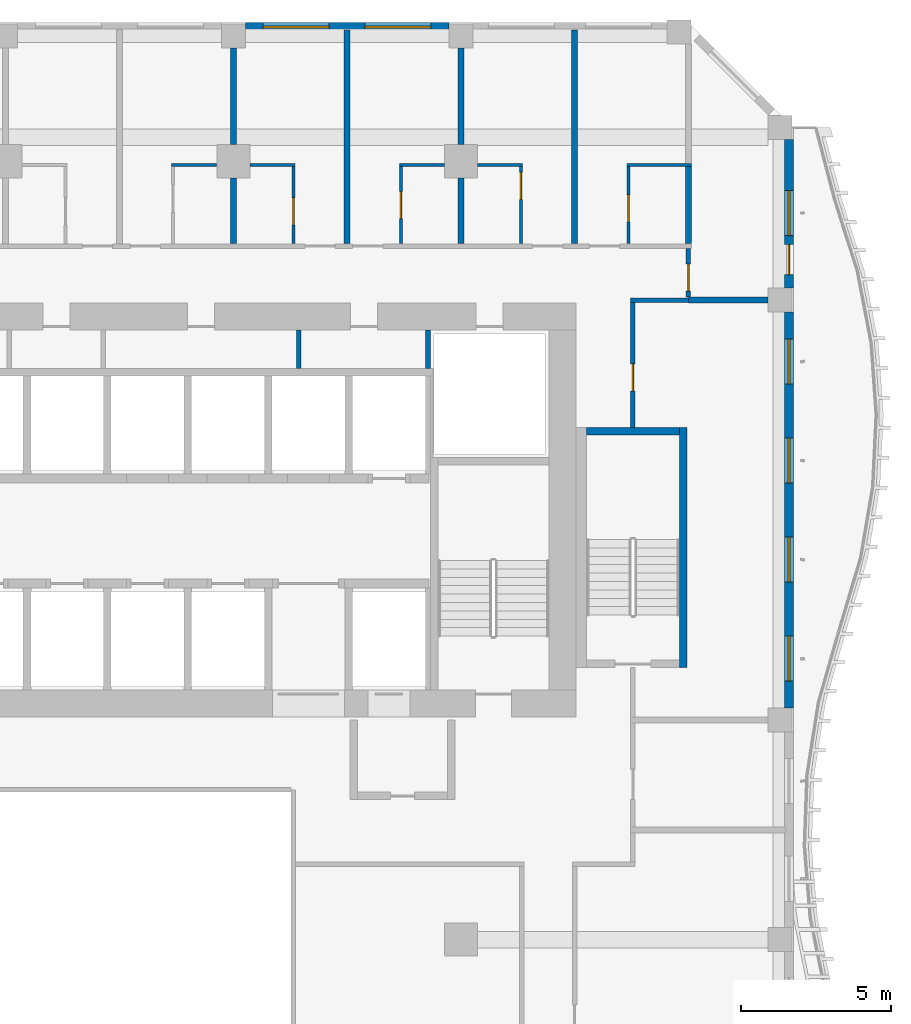
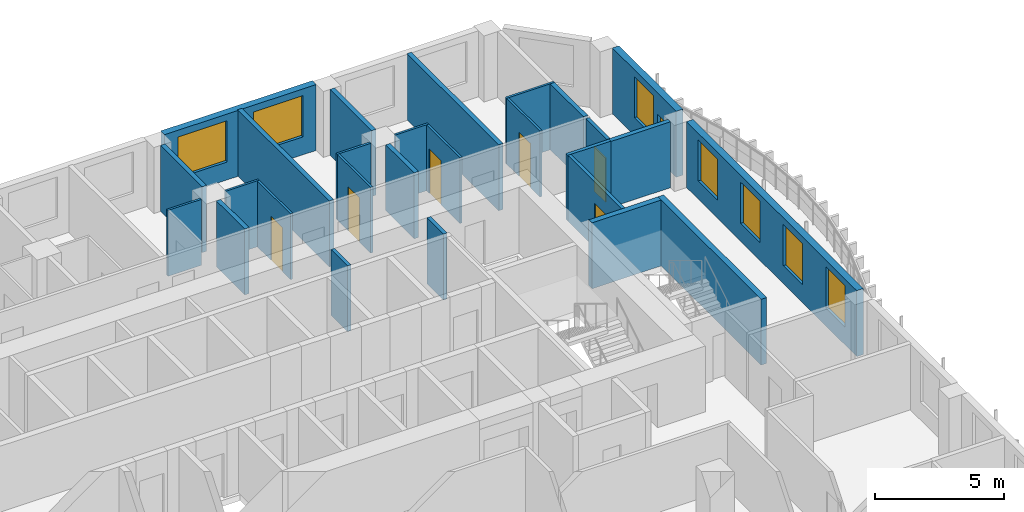
# One storey, part 10 of 22: 27 walls, 7 doors, 7 windows, 14 openings.
"""IFC4 building model written with IfcOpenShell, lengths in metres."""

from ifc_helpers import new_model, si_unit, direction, frame, frame_2d, origin, place, context, subcontext, project, spatial, rectangle, extrude, source, transform, mapped, material, layer, layer_set, type_object, element, fill, save


model = new_model("IFC4")

# Units and contexts
model_context = context("Model", 3, precision=1e-05, world=origin(), true_north=direction((0.0, 1.0)))
body_context = subcontext(model_context, "Body", "Model", "MODEL_VIEW")
ifc_project = project(units=[si_unit("LENGTHUNIT", "METRE"), si_unit("AREAUNIT", "SQUARE_METRE"), si_unit("VOLUMEUNIT", "CUBIC_METRE"), si_unit("PLANEANGLEUNIT", "RADIAN"), si_unit("MASSUNIT", "GRAM", prefix="KILO")], contexts=[model_context])

# Site, building, storey
site_placement = place(None, origin())
site = spatial("IfcSite", under=ifc_project, at=site_placement, CompositionType="ELEMENT")
building_placement = place(site_placement, origin())
building = spatial("IfcBuilding", under=site, at=building_placement, Name="Kilnfold Tower and Market Hall", CompositionType="ELEMENT")
storey_placement = place(building_placement, frame((0.0, 0.0, 143.89990234375)))
storey = spatial("IfcBuildingStorey", under=building, at=storey_placement, Name="L32", CompositionType="ELEMENT", Elevation=143.89990234375)

# Wall, opening, door
ifc_material_1 = material(Name="Gypsum board on steel studs", Category="steel")
ifc_layer_1 = layer(ifc_material_1, 0.14990234375)
ifc_layer_set_1 = layer_set([ifc_layer_1], Name="Gypsum board on steel studs")
wall_type_1 = type_object("IfcWallType", Name="WALL CORRIDOR 150", PredefinedType="PARTITIONING", material=ifc_layer_set_1)
wall_1_placement = place(storey_placement, frame((21.75, 22.10009765625, 0.0), z_axis=(0.0, 0.0, 1.0), x_axis=(0.0, 1.0, 0.0)))
wall_1 = element("IfcWall", 1, at=wall_1_placement, inside=storey, type_object=wall_type_1, Name="Partition LY21.26", PredefinedType="PARTITIONING", context=body_context, shape_type="SweptSolid", body=[
    extrude(rectangle(XDim=1.625, YDim=0.14990234375, at=frame_2d((0.8125, 0.0))), origin(), (0.0, 0.0, 1.0), 3.1201171875),
])
opening_1_placement = place(wall_1_placement, frame((0.199951171875, 0.0, 0.0)))
opening_1 = element("IfcOpeningElement", 2, at=opening_1_placement, cuts=wall_1, Name="Opening D2", PredefinedType="OPENING", context=body_context, shape_type="SweptSolid", body=[
    extrude(rectangle(XDim=0.89990234375, YDim=2.10009765625, at=frame_2d((0.449951171875, 1.050048828125))), frame((0.0, 0.0849609375, 0.0), z_axis=(0.0, -1.0, 0.0), x_axis=(1.0, 0.0, 0.0)), (0.0, 0.0, 1.0), 0.169921875),
])
ifc_material_2 = material(Name="Timber veneer door leaf in steel frame", Category="steel")
door_type_1 = type_object("IfcDoorType", Name="DOOR ROOM 900 X2100", OperationType="NOTDEFINED", PredefinedType="DOOR", material=ifc_material_2)
door_1_placement = place(opening_1_placement, origin())
door_1 = element("IfcDoor", 3, at=door_1_placement, inside=storey, type_object=door_type_1, Name="Door D2", OperationType="SINGLE_SWING_LEFT", OverallHeight=2.10009765625, OverallWidth=0.89990234375, PredefinedType="DOOR", context=body_context, shape_type="SweptSolid", body=[
    extrude(rectangle(XDim=0.89990234375, YDim=2.10009765625, at=frame_2d((0.449951171875, 1.050048828125))), frame((0.0, 0.02490234375, 0.0), z_axis=(0.0, -1.0, 0.0), x_axis=(1.0, 0.0, 0.0)), (0.0, 0.0, 1.0), 0.050048828125),
])
fill(opening_1, door_1)

# Wall
wall_2_placement = place(storey_placement, frame((19.824951171875, 22.0, 0.0), z_axis=(0.0, 0.0, 1.0), x_axis=(1.0, 0.0, 0.0)))
element("IfcWall", 4, at=wall_2_placement, inside=storey, type_object=wall_type_1, Name="Partition LY21.28", PredefinedType="PARTITIONING", context=body_context, shape_type="SweptSolid", body=[
    extrude(rectangle(XDim=1.925048828125, YDim=0.14990234375, at=frame_2d((0.96240234375, 0.0))), origin(), (0.0, 0.0, 1.0), 3.1201171875),
])

# Wall, opening, door
wall_3_placement = place(storey_placement, frame((19.89990234375, 17.75, 0.0), z_axis=(0.0, 0.0, 1.0), x_axis=(0.0, 1.0, 0.0)))
wall_3 = element("IfcWall", 5, at=wall_3_placement, inside=storey, type_object=wall_type_1, Name="Partition LY21.29", PredefinedType="PARTITIONING", context=body_context, shape_type="SweptSolid", body=[
    extrude(rectangle(XDim=4.175048828125, YDim=0.14990234375, at=frame_2d((2.08740234375, 0.0))), origin(), (0.0, 0.0, 1.0), 3.1201171875),
])
opening_2_placement = place(wall_3_placement, frame((1.22705078125, 0.0, 0.0)))
opening_2 = element("IfcOpeningElement", 6, at=opening_2_placement, cuts=wall_3, Name="Opening D2", PredefinedType="OPENING", context=body_context, shape_type="SweptSolid", body=[
    extrude(rectangle(XDim=0.89990234375, YDim=2.10009765625, at=frame_2d((0.449951171875, 1.050048828125))), frame((0.0, 0.0849609375, 0.0), z_axis=(0.0, -1.0, 0.0), x_axis=(1.0, 0.0, 0.0)), (0.0, 0.0, 1.0), 0.169921875),
])
door_2_placement = place(opening_2_placement, origin())
door_2 = element("IfcDoor", 7, at=door_2_placement, inside=storey, type_object=door_type_1, Name="Door D2", OperationType="SINGLE_SWING_LEFT", OverallHeight=2.10009765625, OverallWidth=0.89990234375, PredefinedType="DOOR", context=body_context, shape_type="SweptSolid", body=[
    extrude(rectangle(XDim=0.89990234375, YDim=2.10009765625, at=frame_2d((0.449951171875, 1.050048828125))), frame((0.0, 0.02490234375, 0.0), z_axis=(0.0, -1.0, 0.0), x_axis=(1.0, 0.0, 0.0)), (0.0, 0.0, 1.0), 0.050048828125),
])
fill(opening_2, door_2)

# Walls
ifc_material_3 = material(Name="Gypsum board on steel studs", Category="steel")
ifc_layer_2 = layer(ifc_material_3, 0.10009765625)
ifc_layer_set_2 = layer_set([ifc_layer_2], Name="Gypsum board on steel studs")
wall_type_2 = type_object("IfcWallType", Name="WALL PARTITION 100", PredefinedType="PARTITIONING", material=ifc_layer_set_2)
for number, where, z_axis, x_axis, name in (
    (8, (4.532958984375, 26.501953125, 0.0), (0.0, 0.0, 1.0), (1.0, 0.0, 0.0), "Partition LY21.104"),
    (9, (7.133056640625, 26.501953125, 0.0), (0.0, 0.0, 1.0), (1.0, 0.0, 0.0), "Partition LY21.108"),
):
    element("IfcWall", number, at=place(storey_placement, frame(where, z_axis=z_axis, x_axis=x_axis)), inside=storey, type_object=wall_type_2, Name=name, PredefinedType="PARTITIONING", context=body_context, shape_type="SweptSolid", body=[
        extrude(rectangle(XDim=1.5, YDim=0.10009765625, at=frame_2d((0.75, 0.0))), origin(), (0.0, 0.0, 1.0), 3.1201171875),
    ])

# Wall, opening, door
wall_4_placement = place(storey_placement, frame((8.5830078125, 26.451904296875, 0.0), z_axis=(0.0, 0.0, 1.0), x_axis=(0.0, -1.0, 0.0)))
wall_4 = element("IfcWall", 10, at=wall_4_placement, inside=storey, type_object=wall_type_2, Name="Partition LY21.109", PredefinedType="PARTITIONING", context=body_context, shape_type="SweptSolid", body=[
    extrude(rectangle(XDim=2.574951171875, YDim=0.10009765625, at=frame_2d((1.28759765625, 0.0))), origin(), (0.0, 0.0, 1.0), 3.1201171875),
])
opening_3_placement = place(wall_4_placement, frame((1.050048828125, 0.0, 0.0)))
opening_3 = element("IfcOpeningElement", 11, at=opening_3_placement, cuts=wall_4, Name="Opening D3", PredefinedType="OPENING", context=body_context, shape_type="SweptSolid", body=[
    extrude(rectangle(XDim=0.89990234375, YDim=2.10009765625, at=frame_2d((0.449951171875, 1.050048828125))), frame((0.0, 0.06005859375, 0.0), z_axis=(0.0, -1.0, 0.0), x_axis=(1.0, 0.0, 0.0)), (0.0, 0.0, 1.0), 0.1201171875),
])
ifc_material_4 = material(Name="Timber veneer door leaf in steel frame", Category="steel")
door_type_2 = type_object("IfcDoorType", Name="DOOR WC 900 X2100", OperationType="NOTDEFINED", PredefinedType="DOOR", material=ifc_material_4)
door_3_placement = place(opening_3_placement, origin())
door_3 = element("IfcDoor", 12, at=door_3_placement, inside=storey, type_object=door_type_2, Name="Door D3", OperationType="SINGLE_SWING_LEFT", OverallHeight=2.10009765625, OverallWidth=0.89990234375, PredefinedType="DOOR", context=body_context, shape_type="SweptSolid", body=[
    extrude(rectangle(XDim=0.89990234375, YDim=2.10009765625, at=frame_2d((0.449951171875, 1.050048828125))), frame((0.0, 0.02490234375, 0.0), z_axis=(0.0, -1.0, 0.0), x_axis=(1.0, 0.0, 0.0)), (0.0, 0.0, 1.0), 0.050048828125),
])
fill(opening_3, door_3)

# Wall
wall_5_placement = place(storey_placement, frame((12.116943359375, 26.501953125, 0.0), z_axis=(0.0, 0.0, 1.0), x_axis=(1.0, 0.0, 0.0)))
element("IfcWall", 13, at=wall_5_placement, inside=storey, type_object=wall_type_2, Name="Partition LY21.111", PredefinedType="PARTITIONING", context=body_context, shape_type="SweptSolid", body=[
    extrude(rectangle(XDim=1.5, YDim=0.10009765625, at=frame_2d((0.75, 0.0))), origin(), (0.0, 0.0, 1.0), 3.1201171875),
])

# Wall, opening, door
wall_6_placement = place(storey_placement, frame((12.1669921875, 23.876953125, 0.0), z_axis=(0.0, 0.0, 1.0), x_axis=(0.0, 1.0, 0.0)))
wall_6 = element("IfcWall", 14, at=wall_6_placement, inside=storey, type_object=wall_type_2, Name="Partition LY21.112", PredefinedType="PARTITIONING", context=body_context, shape_type="SweptSolid", body=[
    extrude(rectangle(XDim=2.574951171875, YDim=0.10009765625, at=frame_2d((1.28759765625, 0.0))), origin(), (0.0, 0.0, 1.0), 3.1201171875),
])
opening_4_placement = place(wall_6_placement, frame((0.837890625, 0.0, 0.0)))
opening_4 = element("IfcOpeningElement", 15, at=opening_4_placement, cuts=wall_6, Name="Opening D3", PredefinedType="OPENING", context=body_context, shape_type="SweptSolid", body=[
    extrude(rectangle(XDim=0.89990234375, YDim=2.10009765625, at=frame_2d((0.449951171875, 1.050048828125))), frame((0.0, 0.06005859375, 0.0), z_axis=(0.0, -1.0, 0.0), x_axis=(1.0, 0.0, 0.0)), (0.0, 0.0, 1.0), 0.1201171875),
])
door_4_placement = place(opening_4_placement, origin())
door_4 = element("IfcDoor", 16, at=door_4_placement, inside=storey, type_object=door_type_2, Name="Door D3", OperationType="SINGLE_SWING_LEFT", OverallHeight=2.10009765625, OverallWidth=0.89990234375, PredefinedType="DOOR", context=body_context, shape_type="SweptSolid", body=[
    extrude(rectangle(XDim=0.89990234375, YDim=2.10009765625, at=frame_2d((0.449951171875, 1.050048828125))), frame((0.0, 0.02490234375, 0.0), z_axis=(0.0, -1.0, 0.0), x_axis=(1.0, 0.0, 0.0)), (0.0, 0.0, 1.0), 0.050048828125),
])
fill(opening_4, door_4)

# Wall
wall_7_placement = place(storey_placement, frame((14.717041015625, 26.501953125, 0.0), z_axis=(0.0, 0.0, 1.0), x_axis=(1.0, 0.0, 0.0)))
element("IfcWall", 17, at=wall_7_placement, inside=storey, type_object=wall_type_2, Name="Partition LY21.115", PredefinedType="PARTITIONING", context=body_context, shape_type="SweptSolid", body=[
    extrude(rectangle(XDim=1.5, YDim=0.10009765625, at=frame_2d((0.75, 0.0))), origin(), (0.0, 0.0, 1.0), 3.1201171875),
])

# Wall, opening, door
wall_8_placement = place(storey_placement, frame((16.1669921875, 26.451904296875, 0.0), z_axis=(0.0, 0.0, 1.0), x_axis=(0.0, -1.0, 0.0)))
wall_8 = element("IfcWall", 18, at=wall_8_placement, inside=storey, type_object=wall_type_2, Name="Partition LY21.116", PredefinedType="PARTITIONING", context=body_context, shape_type="SweptSolid", body=[
    extrude(rectangle(XDim=2.574951171875, YDim=0.10009765625, at=frame_2d((1.28759765625, 0.0))), origin(), (0.0, 0.0, 1.0), 3.1201171875),
])
opening_5_placement = place(wall_8_placement, frame((0.199951171875, 0.0, 0.0)))
opening_5 = element("IfcOpeningElement", 19, at=opening_5_placement, cuts=wall_8, Name="Opening D3", PredefinedType="OPENING", context=body_context, shape_type="SweptSolid", body=[
    extrude(rectangle(XDim=0.89990234375, YDim=2.10009765625, at=frame_2d((0.449951171875, 1.050048828125))), frame((0.0, 0.06005859375, 0.0), z_axis=(0.0, -1.0, 0.0), x_axis=(1.0, 0.0, 0.0)), (0.0, 0.0, 1.0), 0.1201171875),
])
door_5_placement = place(opening_5_placement, origin())
door_5 = element("IfcDoor", 20, at=door_5_placement, inside=storey, type_object=door_type_2, Name="Door D3", OperationType="SINGLE_SWING_LEFT", OverallHeight=2.10009765625, OverallWidth=0.89990234375, PredefinedType="DOOR", context=body_context, shape_type="SweptSolid", body=[
    extrude(rectangle(XDim=0.89990234375, YDim=2.10009765625, at=frame_2d((0.449951171875, 1.050048828125))), frame((0.0, 0.02490234375, 0.0), z_axis=(0.0, -1.0, 0.0), x_axis=(1.0, 0.0, 0.0)), (0.0, 0.0, 1.0), 0.050048828125),
])
fill(opening_5, door_5)

# Wall
wall_9_placement = place(storey_placement, frame((19.699951171875, 26.501953125, 0.0), z_axis=(0.0, 0.0, 1.0), x_axis=(1.0, 0.0, 0.0)))
element("IfcWall", 21, at=wall_9_placement, inside=storey, type_object=wall_type_2, Name="Partition LY21.118", PredefinedType="PARTITIONING", context=body_context, shape_type="SweptSolid", body=[
    extrude(rectangle(XDim=2.150146484375, YDim=0.10009765625, at=frame_2d((1.0751953125, 0.0))), origin(), (0.0, 0.0, 1.0), 3.1201171875),
])

# Wall, opening, door
wall_10_placement = place(storey_placement, frame((19.75, 23.876953125, 0.0), z_axis=(0.0, 0.0, 1.0), x_axis=(0.0, 1.0, 0.0)))
wall_10 = element("IfcWall", 22, at=wall_10_placement, inside=storey, type_object=wall_type_2, Name="Partition LY21.119", PredefinedType="PARTITIONING", context=body_context, shape_type="SweptSolid", body=[
    extrude(rectangle(XDim=2.574951171875, YDim=0.10009765625, at=frame_2d((1.28759765625, 0.0))), origin(), (0.0, 0.0, 1.0), 3.1201171875),
])
opening_6_placement = place(wall_10_placement, frame((0.73095703125, 0.0, 0.0)))
opening_6 = element("IfcOpeningElement", 23, at=opening_6_placement, cuts=wall_10, Name="Opening D3", PredefinedType="OPENING", context=body_context, shape_type="SweptSolid", body=[
    extrude(rectangle(XDim=0.89990234375, YDim=2.10009765625, at=frame_2d((0.449951171875, 1.050048828125))), frame((0.0, 0.06005859375, 0.0), z_axis=(0.0, -1.0, 0.0), x_axis=(1.0, 0.0, 0.0)), (0.0, 0.0, 1.0), 0.1201171875),
])
door_6_placement = place(opening_6_placement, origin())
door_6 = element("IfcDoor", 24, at=door_6_placement, inside=storey, type_object=door_type_2, Name="Door D3", OperationType="SINGLE_SWING_RIGHT", OverallHeight=2.10009765625, OverallWidth=0.89990234375, PredefinedType="DOOR", context=body_context, shape_type="SweptSolid", body=[
    extrude(rectangle(XDim=0.89990234375, YDim=2.10009765625, at=frame_2d((0.449951171875, 1.050048828125))), frame((0.0, 0.02490234375, 0.0), z_axis=(0.0, -1.0, 0.0), x_axis=(1.0, 0.0, 0.0)), (0.0, 0.0, 1.0), 0.050048828125),
])
fill(opening_6, door_6)

# Walls
ifc_material_5 = material(Name="Gypsum board on steel studs", Category="steel")
ifc_layer_3 = layer(ifc_material_5, 0.199951171875)
ifc_layer_set_3 = layer_set([ifc_layer_3], Name="Gypsum board on steel studs")
wall_type_3 = type_object("IfcWallType", Name="WALL PARTY 200", PredefinedType="PARTITIONING", material=ifc_layer_set_3)
wall_11_placement = place(storey_placement, frame((6.5830078125, 27.175048828125, 0.0), z_axis=(0.0, 0.0, 1.0), x_axis=(0.0, 1.0, 0.0)))
element("IfcWall", 25, at=wall_11_placement, inside=storey, type_object=wall_type_3, Name="Partition LY21.106", PredefinedType="PARTITIONING", context=body_context, shape_type="SweptSolid", body=[
    extrude(rectangle(XDim=3.224853515625, YDim=0.199951171875, at=frame_2d((1.6123046875, 0.0))), origin(), (0.0, 0.0, 1.0), 3.1201171875),
])
wall_12_placement = place(storey_placement, frame((6.5830078125, 23.876953125, 0.0), z_axis=(0.0, 0.0, 1.0), x_axis=(0.0, 1.0, 0.0)))
element("IfcWall", 26, at=wall_12_placement, inside=storey, type_object=wall_type_3, Name="Partition LY21.107", PredefinedType="PARTITIONING", context=body_context, shape_type="SweptSolid", body=[
    extrude(rectangle(XDim=2.197998046875, YDim=0.199951171875, at=frame_2d((1.09912109375, 0.0))), origin(), (0.0, 0.0, 1.0), 3.1201171875),
])
wall_13_placement = place(storey_placement, frame((10.375, 23.876953125, 0.0), z_axis=(0.0, 0.0, 1.0), x_axis=(0.0, 1.0, 0.0)))
element("IfcWall", 27, at=wall_13_placement, inside=storey, type_object=wall_type_3, Name="Partition LY21.110", PredefinedType="PARTITIONING", context=body_context, shape_type="SweptSolid", body=[
    extrude(rectangle(XDim=7.123046875, YDim=0.199951171875, at=frame_2d((3.5615234375, 0.0))), origin(), (0.0, 0.0, 1.0), 3.1201171875),
])
wall_14_placement = place(storey_placement, frame((14.1669921875, 27.175048828125, 0.0), z_axis=(0.0, 0.0, 1.0), x_axis=(0.0, 1.0, 0.0)))
element("IfcWall", 28, at=wall_14_placement, inside=storey, type_object=wall_type_3, Name="Partition LY21.113", PredefinedType="PARTITIONING", context=body_context, shape_type="SweptSolid", body=[
    extrude(rectangle(XDim=3.224853515625, YDim=0.199951171875, at=frame_2d((1.6123046875, 0.0))), origin(), (0.0, 0.0, 1.0), 3.1201171875),
])
wall_15_placement = place(storey_placement, frame((14.1669921875, 23.876953125, 0.0), z_axis=(0.0, 0.0, 1.0), x_axis=(0.0, 1.0, 0.0)))
element("IfcWall", 29, at=wall_15_placement, inside=storey, type_object=wall_type_3, Name="Partition LY21.114", PredefinedType="PARTITIONING", context=body_context, shape_type="SweptSolid", body=[
    extrude(rectangle(XDim=2.197998046875, YDim=0.199951171875, at=frame_2d((1.09912109375, 0.0))), origin(), (0.0, 0.0, 1.0), 3.1201171875),
])
wall_16_placement = place(storey_placement, frame((17.958984375, 23.876953125, 0.0), z_axis=(0.0, 0.0, 1.0), x_axis=(0.0, 1.0, 0.0)))
element("IfcWall", 30, at=wall_16_placement, inside=storey, type_object=wall_type_3, Name="Partition LY21.117", PredefinedType="PARTITIONING", context=body_context, shape_type="SweptSolid", body=[
    extrude(rectangle(XDim=7.123046875, YDim=0.199951171875, at=frame_2d((3.5615234375, 0.0))), origin(), (0.0, 0.0, 1.0), 3.1201171875),
])
wall_17_placement = place(storey_placement, frame((21.75, 23.876953125, 0.0), z_axis=(0.0, 0.0, 1.0), x_axis=(0.0, 1.0, 0.0)))
element("IfcWall", 31, at=wall_17_placement, inside=storey, type_object=wall_type_3, Name="Partition LY21.121", PredefinedType="PARTITIONING", context=body_context, shape_type="SweptSolid", body=[
    extrude(rectangle(XDim=2.574951171875, YDim=0.199951171875, at=frame_2d((1.28759765625, 0.0))), origin(), (0.0, 0.0, 1.0), 3.1201171875),
])
wall_18_placement = place(storey_placement, frame((21.751953125, 22.0, 0.0), z_axis=(0.0, 0.0, 1.0), x_axis=(1.0, 0.0, 0.0)))
element("IfcWall", 32, at=wall_18_placement, inside=storey, type_object=wall_type_3, Name="Partition LY21.122", PredefinedType="PARTITIONING", context=body_context, shape_type="SweptSolid", body=[
    extrude(rectangle(XDim=2.64794921875, YDim=0.199951171875, at=frame_2d((1.323974609375, 0.0))), origin(), (0.0, 0.0, 1.0), 3.1201171875),
])
ifc_material_6 = material(Name="Concrete C70", Category="concrete")
ifc_layer_4 = layer(ifc_material_6, 0.25)
ifc_layer_set_4 = layer_set([ifc_layer_4], Name="Concrete C70")
wall_type_4 = type_object("IfcWallType", Name="CORE WALL 250 C70", PredefinedType="SHEAR", material=ifc_layer_set_4)
shared_shape_1 = source(origin(), body_context, "Body", "SweptSolid", [
    extrude(rectangle(XDim=8.0, YDim=0.25, at=frame_2d((4.0, 0.0))), origin(), (0.0, 0.0, 1.0), 3.1201171875),
])
wall_19_placement = place(storey_placement, frame((21.574951171875, 9.75, 0.0), z_axis=(0.0, 0.0, 1.0), x_axis=(0.0, 1.0, 0.0)))
element("IfcWall", 33, at=wall_19_placement, inside=storey, type_object=wall_type_4, Name="Stair enclosure ST5", PredefinedType="SHEAR", context=body_context, shape_type="MappedRepresentation", body=[
    mapped(shared_shape_1, transform((0.0, 0.0, 0.0))),
])
shared_shape_2 = source(origin(), body_context, "Body", "SweptSolid", [
    extrude(rectangle(XDim=3.099853515625, YDim=0.25, at=frame_2d((1.5498046875, 0.0))), origin(), (0.0, 0.0, 1.0), 3.1201171875),
])
wall_20_placement = place(storey_placement, frame((18.35009765625, 17.625, 0.0), z_axis=(0.0, 0.0, 1.0), x_axis=(1.0, 0.0, 0.0)))
element("IfcWall", 34, at=wall_20_placement, inside=storey, type_object=wall_type_4, Name="Stair enclosure ST5", PredefinedType="SHEAR", context=body_context, shape_type="MappedRepresentation", body=[
    mapped(shared_shape_2, transform((0.0, 0.0, 0.0))),
])

# Wall, openings, windows
ifc_material_7 = material(Name="Precast concrete C50/60", Category="concrete")
ifc_layer_5 = layer(ifc_material_7, 0.300048828125)
ifc_layer_set_5 = layer_set([ifc_layer_5], Name="Precast concrete C50/60")
wall_type_5 = type_object("IfcWallType", Name="PRECAST WALL 300", PredefinedType="SOLIDWALL", material=ifc_layer_set_5)
shared_shape_3 = source(origin(), body_context, "Body", "SweptSolid", [
    extrude(rectangle(XDim=6.783203125, YDim=0.300048828125, at=frame_2d((3.3916015625, 0.0))), origin(), (0.0, 0.0, 1.0), 3.1201171875),
])
wall_21_placement = place(storey_placement, frame((13.7666015625, 31.10009765625, 0.0), z_axis=(0.0, 0.0, 1.0), x_axis=(-1.0, 0.0, 0.0)))
wall_21 = element("IfcWall", 35, at=wall_21_placement, inside=storey, type_object=wall_type_5, Name="External wall L32 N", PredefinedType="SOLIDWALL", context=body_context, shape_type="MappedRepresentation", body=[
    mapped(shared_shape_3, transform((0.0, 0.0, 0.0))),
])
opening_7_placement = place(wall_21_placement, frame((0.595703125, 0.0, 0.85009765625)))
opening_7 = element("IfcOpeningElement", 36, at=opening_7_placement, cuts=wall_21, Name="Opening W2", PredefinedType="OPENING", context=body_context, shape_type="SweptSolid", body=[
    extrude(rectangle(XDim=2.199951171875, YDim=1.949951171875, at=frame_2d((1.10009765625, 0.97509765625))), frame((0.0, 0.16015625, 0.0), z_axis=(0.0, -1.0, 0.0), x_axis=(1.0, 0.0, 0.0)), (0.0, 0.0, 1.0), 0.320068359375),
])
opening_8_placement = place(wall_21_placement, frame((3.987548828125, 0.0, 0.85009765625)))
opening_8 = element("IfcOpeningElement", 37, at=opening_8_placement, cuts=wall_21, Name="Opening W2", PredefinedType="OPENING", context=body_context, shape_type="SweptSolid", body=[
    extrude(rectangle(XDim=2.199951171875, YDim=1.949951171875, at=frame_2d((1.10009765625, 0.97509765625))), frame((0.0, 0.16015625, 0.0), z_axis=(0.0, -1.0, 0.0), x_axis=(1.0, 0.0, 0.0)), (0.0, 0.0, 1.0), 0.320068359375),
])
ifc_material_8 = material(Name="Aluminium frame and double glazing", Category="aluminium")
window_type_1 = type_object("IfcWindowType", Name="WINDOW W2 2200X1950", PartitioningType="SINGLE_PANEL", PredefinedType="WINDOW", material=ifc_material_8)
window_1_placement = place(opening_7_placement, origin())
window_1 = element("IfcWindow", 38, at=window_1_placement, inside=storey, type_object=window_type_1, Name="Window W2 L32 N-1", OverallHeight=1.949951171875, OverallWidth=2.199951171875, PartitioningType="SINGLE_PANEL", PredefinedType="WINDOW", context=body_context, shape_type="SweptSolid", body=[
    extrude(rectangle(XDim=2.199951171875, YDim=1.949951171875, at=frame_2d((1.10009765625, 0.97509765625))), frame((0.0, 0.030029296875, 0.0), z_axis=(0.0, -1.0, 0.0), x_axis=(1.0, 0.0, 0.0)), (0.0, 0.0, 1.0), 0.06005859375),
])
fill(opening_7, window_1)
window_2_placement = place(opening_8_placement, origin())
window_2 = element("IfcWindow", 39, at=window_2_placement, inside=storey, type_object=window_type_1, Name="Window W2 L32 N-2", OverallHeight=1.949951171875, OverallWidth=2.199951171875, PartitioningType="SINGLE_PANEL", PredefinedType="WINDOW", context=body_context, shape_type="SweptSolid", body=[
    extrude(rectangle(XDim=2.199951171875, YDim=1.949951171875, at=frame_2d((1.10009765625, 0.97509765625))), frame((0.0, 0.030029296875, 0.0), z_axis=(0.0, -1.0, 0.0), x_axis=(1.0, 0.0, 0.0)), (0.0, 0.0, 1.0), 0.06005859375),
])
fill(opening_8, window_2)

shared_shape_4 = source(origin(), body_context, "Body", "SweptSolid", [
    extrude(rectangle(XDim=13.2001953125, YDim=0.300048828125, at=frame_2d((6.60009765625, 0.0))), origin(), (0.0, 0.0, 1.0), 3.1201171875),
])
wall_22_placement = place(storey_placement, frame((25.10009765625, 8.39990234375, 0.0), z_axis=(0.0, 0.0, 1.0), x_axis=(0.0, 1.0, 0.0)))
wall_22 = element("IfcWall", 40, at=wall_22_placement, inside=storey, type_object=wall_type_5, Name="External wall L32 E", PredefinedType="SOLIDWALL", context=body_context, shape_type="MappedRepresentation", body=[
    mapped(shared_shape_4, transform((0.0, 0.0, 0.0))),
])
opening_9_placement = place(wall_22_placement, frame((0.89990234375, 0.0, 0.85009765625)))
opening_9 = element("IfcOpeningElement", 41, at=opening_9_placement, cuts=wall_22, Name="Opening W4", PredefinedType="OPENING", context=body_context, shape_type="SweptSolid", body=[
    extrude(rectangle(XDim=1.5, YDim=1.949951171875, at=frame_2d((0.75, 0.97509765625))), frame((0.0, 0.16015625, 0.0), z_axis=(0.0, -1.0, 0.0), x_axis=(1.0, 0.0, 0.0)), (0.0, 0.0, 1.0), 0.320068359375),
])
opening_10_placement = place(wall_22_placement, frame((4.199951171875, 0.0, 0.85009765625)))
opening_10 = element("IfcOpeningElement", 42, at=opening_10_placement, cuts=wall_22, Name="Opening W4", PredefinedType="OPENING", context=body_context, shape_type="SweptSolid", body=[
    extrude(rectangle(XDim=1.5, YDim=1.949951171875, at=frame_2d((0.75, 0.97509765625))), frame((0.0, 0.16015625, 0.0), z_axis=(0.0, -1.0, 0.0), x_axis=(1.0, 0.0, 0.0)), (0.0, 0.0, 1.0), 0.320068359375),
])
opening_11_placement = place(wall_22_placement, frame((7.5, 0.0, 0.85009765625)))
opening_11 = element("IfcOpeningElement", 43, at=opening_11_placement, cuts=wall_22, Name="Opening W4", PredefinedType="OPENING", context=body_context, shape_type="SweptSolid", body=[
    extrude(rectangle(XDim=1.5, YDim=1.949951171875, at=frame_2d((0.75, 0.97509765625))), frame((0.0, 0.16015625, 0.0), z_axis=(0.0, -1.0, 0.0), x_axis=(1.0, 0.0, 0.0)), (0.0, 0.0, 1.0), 0.320068359375),
])
opening_12_placement = place(wall_22_placement, frame((10.800048828125, 0.0, 0.85009765625)))
opening_12 = element("IfcOpeningElement", 44, at=opening_12_placement, cuts=wall_22, Name="Opening W4", PredefinedType="OPENING", context=body_context, shape_type="SweptSolid", body=[
    extrude(rectangle(XDim=1.5, YDim=1.949951171875, at=frame_2d((0.75, 0.97509765625))), frame((0.0, 0.16015625, 0.0), z_axis=(0.0, -1.0, 0.0), x_axis=(1.0, 0.0, 0.0)), (0.0, 0.0, 1.0), 0.320068359375),
])
ifc_material_9 = material(Name="Aluminium frame and double glazing", Category="aluminium")
window_type_2 = type_object("IfcWindowType", Name="WINDOW W4 1500X1950", PartitioningType="SINGLE_PANEL", PredefinedType="WINDOW", material=ifc_material_9)
window_3_placement = place(opening_9_placement, origin())
window_3 = element("IfcWindow", 45, at=window_3_placement, inside=storey, type_object=window_type_2, Name="Window W4 L32 E-1", OverallHeight=1.949951171875, OverallWidth=1.5, PartitioningType="SINGLE_PANEL", PredefinedType="WINDOW", context=body_context, shape_type="SweptSolid", body=[
    extrude(rectangle(XDim=1.5, YDim=1.949951171875, at=frame_2d((0.75, 0.97509765625))), frame((0.0, 0.030029296875, 0.0), z_axis=(0.0, -1.0, 0.0), x_axis=(1.0, 0.0, 0.0)), (0.0, 0.0, 1.0), 0.06005859375),
])
fill(opening_9, window_3)
window_4_placement = place(opening_10_placement, origin())
window_4 = element("IfcWindow", 46, at=window_4_placement, inside=storey, type_object=window_type_2, Name="Window W4 L32 E-2", OverallHeight=1.949951171875, OverallWidth=1.5, PartitioningType="SINGLE_PANEL", PredefinedType="WINDOW", context=body_context, shape_type="SweptSolid", body=[
    extrude(rectangle(XDim=1.5, YDim=1.949951171875, at=frame_2d((0.75, 0.97509765625))), frame((0.0, 0.030029296875, 0.0), z_axis=(0.0, -1.0, 0.0), x_axis=(1.0, 0.0, 0.0)), (0.0, 0.0, 1.0), 0.06005859375),
])
fill(opening_10, window_4)
window_5_placement = place(opening_11_placement, origin())
window_5 = element("IfcWindow", 47, at=window_5_placement, inside=storey, type_object=window_type_2, Name="Window W4 L32 E-3", OverallHeight=1.949951171875, OverallWidth=1.5, PartitioningType="SINGLE_PANEL", PredefinedType="WINDOW", context=body_context, shape_type="SweptSolid", body=[
    extrude(rectangle(XDim=1.5, YDim=1.949951171875, at=frame_2d((0.75, 0.97509765625))), frame((0.0, 0.030029296875, 0.0), z_axis=(0.0, -1.0, 0.0), x_axis=(1.0, 0.0, 0.0)), (0.0, 0.0, 1.0), 0.06005859375),
])
fill(opening_11, window_5)
window_6_placement = place(opening_12_placement, origin())
window_6 = element("IfcWindow", 48, at=window_6_placement, inside=storey, type_object=window_type_2, Name="Window W4 L32 E-4", OverallHeight=1.949951171875, OverallWidth=1.5, PartitioningType="SINGLE_PANEL", PredefinedType="WINDOW", context=body_context, shape_type="SweptSolid", body=[
    extrude(rectangle(XDim=1.5, YDim=1.949951171875, at=frame_2d((0.75, 0.97509765625))), frame((0.0, 0.030029296875, 0.0), z_axis=(0.0, -1.0, 0.0), x_axis=(1.0, 0.0, 0.0)), (0.0, 0.0, 1.0), 0.06005859375),
])
fill(opening_12, window_6)

# Wall, openings, door, window
shared_shape_5 = source(origin(), body_context, "Body", "SweptSolid", [
    extrude(rectangle(XDim=4.9501953125, YDim=0.300048828125, at=frame_2d((2.47509765625, 0.0))), origin(), (0.0, 0.0, 1.0), 3.1201171875),
])
wall_23_placement = place(storey_placement, frame((25.10009765625, 22.39990234375, 0.0), z_axis=(0.0, 0.0, 1.0), x_axis=(0.0, 1.0, 0.0)))
wall_23 = element("IfcWall", 49, at=wall_23_placement, inside=storey, type_object=wall_type_5, Name="External wall L32 E", PredefinedType="SOLIDWALL", context=body_context, shape_type="MappedRepresentation", body=[
    mapped(shared_shape_5, transform((0.0, 0.0, 0.0))),
])
opening_13_placement = place(wall_23_placement, frame((1.75, 0.0, 0.85009765625)))
opening_13 = element("IfcOpeningElement", 50, at=opening_13_placement, cuts=wall_23, Name="Opening W4", PredefinedType="OPENING", context=body_context, shape_type="SweptSolid", body=[
    extrude(rectangle(XDim=1.5, YDim=1.949951171875, at=frame_2d((0.75, 0.97509765625))), frame((0.0, 0.16015625, 0.0), z_axis=(0.0, -1.0, 0.0), x_axis=(1.0, 0.0, 0.0)), (0.0, 0.0, 1.0), 0.320068359375),
])
opening_14_placement = place(wall_23_placement, frame((0.449951171875, 0.0, 0.0)))
opening_14 = element("IfcOpeningElement", 51, at=opening_14_placement, cuts=wall_23, Name="Opening BD1", PredefinedType="OPENING", context=body_context, shape_type="SweptSolid", body=[
    extrude(rectangle(XDim=1.0, YDim=2.10009765625, at=frame_2d((0.5, 1.050048828125))), frame((0.0, 0.16015625, 0.0), z_axis=(0.0, -1.0, 0.0), x_axis=(1.0, 0.0, 0.0)), (0.0, 0.0, 1.0), 0.320068359375),
])
ifc_material_10 = material(Name="Aluminium frame and double glazing", Category="aluminium")
door_type_3 = type_object("IfcDoorType", Name="BALCONY DOOR 1000X2100", OperationType="NOTDEFINED", PredefinedType="DOOR", material=ifc_material_10)
door_7_placement = place(opening_14_placement, origin())
door_7 = element("IfcDoor", 52, at=door_7_placement, inside=storey, type_object=door_type_3, Name="Balcony door BD1 L32 E-1", OperationType="SINGLE_SWING_LEFT", OverallHeight=2.10009765625, OverallWidth=1.0, PredefinedType="DOOR", context=body_context, shape_type="SweptSolid", body=[
    extrude(rectangle(XDim=1.0, YDim=2.10009765625, at=frame_2d((0.5, 1.050048828125))), frame((0.0, 0.02490234375, 0.0), z_axis=(0.0, -1.0, 0.0), x_axis=(1.0, 0.0, 0.0)), (0.0, 0.0, 1.0), 0.050048828125),
])
fill(opening_14, door_7)
window_7_placement = place(opening_13_placement, origin())
window_7 = element("IfcWindow", 53, at=window_7_placement, inside=storey, type_object=window_type_2, Name="Window W4 L32 E-1", OverallHeight=1.949951171875, OverallWidth=1.5, PartitioningType="SINGLE_PANEL", PredefinedType="WINDOW", context=body_context, shape_type="SweptSolid", body=[
    extrude(rectangle(XDim=1.5, YDim=1.949951171875, at=frame_2d((0.75, 0.97509765625))), frame((0.0, 0.030029296875, 0.0), z_axis=(0.0, -1.0, 0.0), x_axis=(1.0, 0.0, 0.0)), (0.0, 0.0, 1.0), 0.06005859375),
])
fill(opening_13, window_7)

# Walls
ifc_material_11 = material(Name="Gypsum shaft wall system")
ifc_layer_6 = layer(ifc_material_11, 0.1650390625)
ifc_layer_set_6 = layer_set([ifc_layer_6], Name="Gypsum shaft wall system")
wall_type_6 = type_object("IfcWallType", Name="SHAFT WALL 165", PredefinedType="PARTITIONING", material=ifc_layer_set_6)
shared_shape_6 = source(origin(), body_context, "Body", "SweptSolid", [
    extrude(rectangle(XDim=1.27490234375, YDim=0.1650390625, at=frame_2d((0.637451171875, 0.0))), origin(), (0.0, 0.0, 1.0), 3.1201171875),
])
wall_24_placement = place(storey_placement, frame((13.0673828125, 19.72509765625, 0.0), z_axis=(0.0, 0.0, 1.0), x_axis=(0.0, 1.0, 0.0)))
element("IfcWall", 54, at=wall_24_placement, inside=storey, type_object=wall_type_6, Name="Lift shaft wall", PredefinedType="PARTITIONING", context=body_context, shape_type="MappedRepresentation", body=[
    mapped(shared_shape_6, transform((0.0, 0.0, 0.0))),
])
ifc_material_12 = material(Name="Gypsum shaft wall system")
ifc_layer_7 = layer(ifc_material_12, 0.14990234375)
ifc_layer_set_7 = layer_set([ifc_layer_7], Name="Gypsum shaft wall system")
wall_type_7 = type_object("IfcWallType", Name="ROOM WALL 150", PredefinedType="PARTITIONING", material=ifc_layer_set_7)
shared_shape_7 = source(origin(), body_context, "Body", "SweptSolid", [
    extrude(rectangle(XDim=1.27490234375, YDim=0.14990234375, at=frame_2d((0.637451171875, 0.0))), origin(), (0.0, 0.0, 1.0), 3.1201171875),
])
wall_25_placement = place(storey_placement, frame((8.768310546875, 19.72509765625, 0.0), z_axis=(0.0, 0.0, 1.0), x_axis=(0.0, 1.0, 0.0)))
element("IfcWall", 55, at=wall_25_placement, inside=storey, type_object=wall_type_7, Name="Core room wall", PredefinedType="PARTITIONING", context=body_context, shape_type="MappedRepresentation", body=[
    mapped(shared_shape_7, transform((0.0, 0.0, 0.0))),
])

save(model, "model.ifc")
